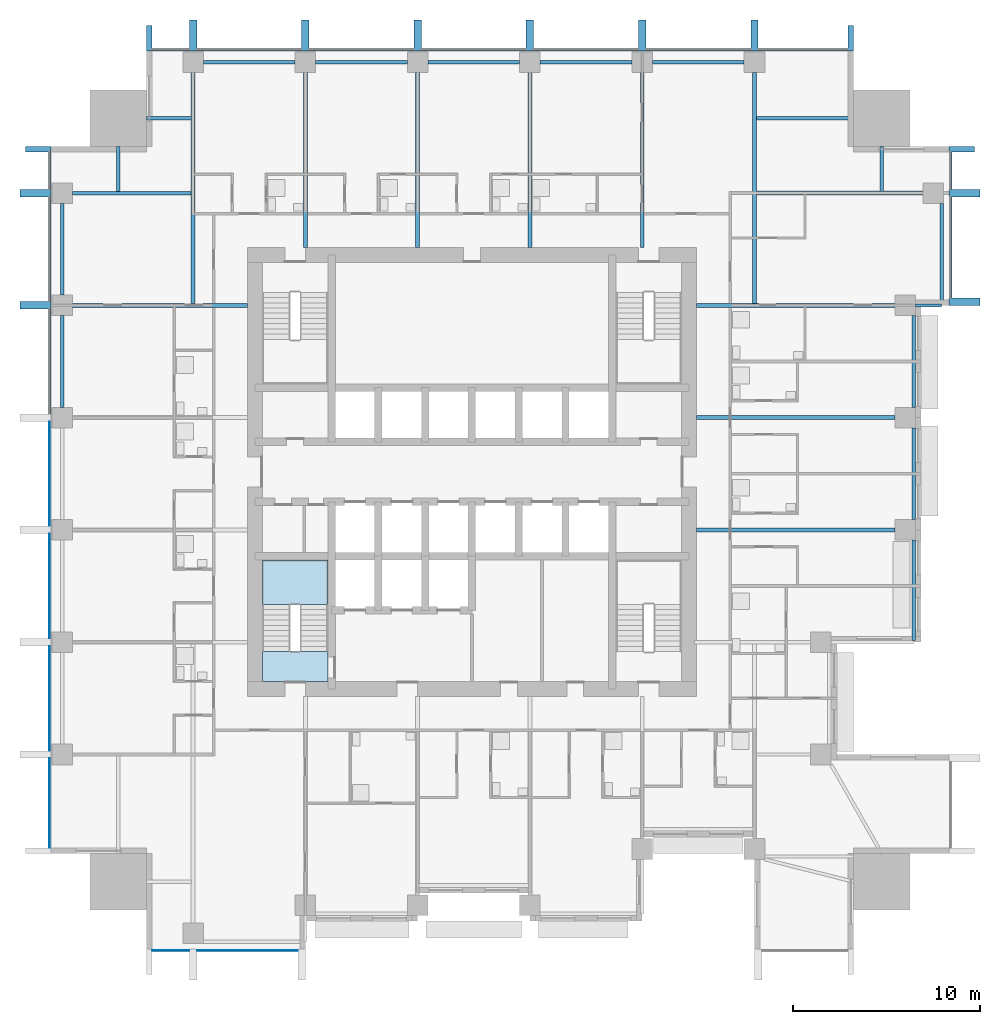
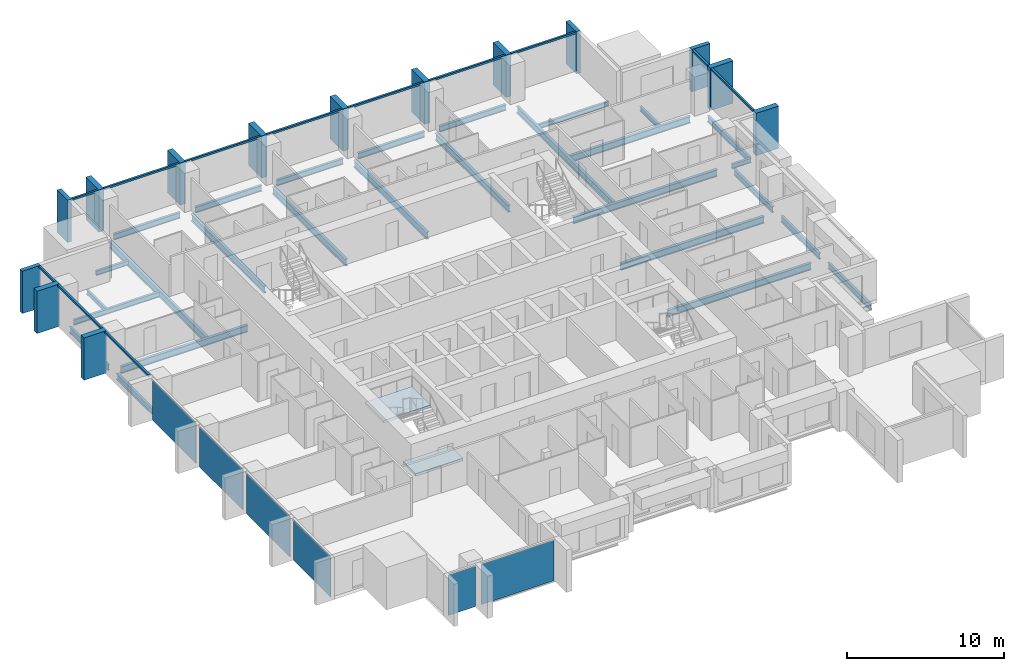
# One storey, part 2 of 11: 28 beams, 26 members, 6 plates, 2 slabs, 5 elements without a shape of their own.
"""IFC4 building model written with IfcOpenShell, lengths in metres."""

from ifc_helpers import new_model, si_unit, direction, frame, origin, origin_2d, place, context, subcontext, project, spatial, polyline, rectangle, i_section, outline, extrude, material, layer, layer_set, material_profile, profile_set, type_object, element, aggregate, save


model = new_model("IFC4")

# Units and contexts
model_context = context("Model", 3, precision=1e-05, world=origin(), true_north=direction((0.0, 1.0)))
body_context = subcontext(model_context, "Body", "Model", "MODEL_VIEW")
ifc_project = project(units=[si_unit("LENGTHUNIT", "METRE"), si_unit("AREAUNIT", "SQUARE_METRE"), si_unit("VOLUMEUNIT", "CUBIC_METRE"), si_unit("PLANEANGLEUNIT", "RADIAN"), si_unit("MASSUNIT", "GRAM", prefix="KILO")], contexts=[model_context])

# Site, building, storey
site_placement = place(None, origin())
site = spatial("IfcSite", under=ifc_project, at=site_placement, CompositionType="ELEMENT")
building_placement = place(site_placement, origin())
building = spatial("IfcBuilding", under=site, at=building_placement, Name="Amberfall Residences", CompositionType="ELEMENT")
storey_placement = place(building_placement, frame((0.0, 0.0, 95.199951171875)))
storey = spatial("IfcBuildingStorey", under=building, at=storey_placement, Name="L25", CompositionType="ELEMENT", Elevation=95.199951171875)

# Curtain wall, members
ifc_material_1 = material(Name="Bronze anodised aluminium and glass", Category="aluminium")
curtain_wall_type = type_object("IfcCurtainWallType", Name="Curtain wall CW1 tower unit", PredefinedType="USERDEFINED", material=ifc_material_1)
curtain_wall_1_placement = place(storey_placement, origin())
curtain_wall_1 = element("IfcCurtainWall", 1, at=curtain_wall_1_placement, inside=storey, type_object=curtain_wall_type, Name="Curtain wall L25 E E9", ObjectType="UNITISED CURTAIN WALL", PredefinedType="USERDEFINED")
ifc_material_2 = material(Name="Bronze anodised aluminium", Category="aluminium")
ifc_material_profile_1 = material_profile(ifc_material_2, rectangle(XDim=0.14990234375, YDim=0.14990234375, at=origin_2d()), Name="CW1 transom 150 x 150 bronze")
ifc_profile_set_1 = profile_set([ifc_material_profile_1], Name="Bronze anodised aluminium")
member_type_1 = type_object("IfcMemberType", Name="CW1 transom 150 x 150 bronze", PredefinedType="USERDEFINED", material=ifc_profile_set_1)
member_1_placement = place(storey_placement, frame((100.074951171875, 54.800048828125, 2.97509765625), z_axis=(0.0, 1.0, 0.0), x_axis=(-1.0, 0.0, 0.0)))
member_1 = element("IfcMember", 2, at=member_1_placement, type_object=member_type_1, Name="CW1 transom 1.1", ObjectType="TRANSOM", PredefinedType="USERDEFINED", context=body_context, shape_type="SweptSolid", body=[
    extrude(rectangle(XDim=0.14990234375, YDim=0.14990234375, at=origin_2d()), origin(), (0.0, 0.0, 1.0), 5.39990234375),
])
member_2_placement = place(storey_placement, frame((100.074951171875, 60.60009765625, 2.97509765625), z_axis=(0.0, 1.0, 0.0), x_axis=(-1.0, 0.0, 0.0)))
member_2 = element("IfcMember", 3, at=member_2_placement, type_object=member_type_1, Name="CW1 transom 2.1", ObjectType="TRANSOM", PredefinedType="USERDEFINED", context=body_context, shape_type="SweptSolid", body=[
    extrude(rectangle(XDim=0.14990234375, YDim=0.14990234375, at=origin_2d()), origin(), (0.0, 0.0, 1.0), 2.0),
])

curtain_wall_2_placement = place(storey_placement, origin())
curtain_wall_2 = element("IfcCurtainWall", 4, at=curtain_wall_2_placement, inside=storey, type_object=curtain_wall_type, Name="Curtain wall L25 N N1", ObjectType="UNITISED CURTAIN WALL", PredefinedType="USERDEFINED")
member_3_placement = place(storey_placement, frame((94.60009765625, 68.074951171875, 2.97509765625), z_axis=(-1.0, 0.0, 0.0), x_axis=(0.0, -1.0, 0.0)))
member_3 = element("IfcMember", 5, at=member_3_placement, type_object=member_type_1, Name="CW1 transom 1.1", ObjectType="TRANSOM", PredefinedType="USERDEFINED", context=body_context, shape_type="SweptSolid", body=[
    extrude(rectangle(XDim=0.14990234375, YDim=0.14990234375, at=origin_2d()), origin(), (0.0, 0.0, 1.0), 4.800048828125),
])
member_4_placement = place(storey_placement, frame((89.39990234375, 68.074951171875, 2.97509765625), z_axis=(-1.0, 0.0, 0.0), x_axis=(0.0, -1.0, 0.0)))
member_4 = element("IfcMember", 6, at=member_4_placement, type_object=member_type_1, Name="CW1 transom 2.1", ObjectType="TRANSOM", PredefinedType="USERDEFINED", context=body_context, shape_type="SweptSolid", body=[
    extrude(rectangle(XDim=0.14990234375, YDim=0.14990234375, at=origin_2d()), origin(), (0.0, 0.0, 1.0), 5.599853515625),
])
member_5_placement = place(storey_placement, frame((83.39990234375, 68.074951171875, 2.97509765625), z_axis=(-1.0, 0.0, 0.0), x_axis=(0.0, -1.0, 0.0)))
member_5 = element("IfcMember", 7, at=member_5_placement, type_object=member_type_1, Name="CW1 transom 3.1", ObjectType="TRANSOM", PredefinedType="USERDEFINED", context=body_context, shape_type="SweptSolid", body=[
    extrude(rectangle(XDim=0.14990234375, YDim=0.14990234375, at=origin_2d()), origin(), (0.0, 0.0, 1.0), 5.599853515625),
])
member_6_placement = place(storey_placement, frame((77.39990234375, 68.074951171875, 2.97509765625), z_axis=(-1.0, 0.0, 0.0), x_axis=(0.0, -1.0, 0.0)))
member_6 = element("IfcMember", 8, at=member_6_placement, type_object=member_type_1, Name="CW1 transom 4.1", ObjectType="TRANSOM", PredefinedType="USERDEFINED", context=body_context, shape_type="SweptSolid", body=[
    extrude(rectangle(XDim=0.14990234375, YDim=0.14990234375, at=origin_2d()), origin(), (0.0, 0.0, 1.0), 5.599853515625),
])
member_7_placement = place(storey_placement, frame((71.39990234375, 68.074951171875, 2.97509765625), z_axis=(-1.0, 0.0, 0.0), x_axis=(0.0, -1.0, 0.0)))
member_7 = element("IfcMember", 9, at=member_7_placement, type_object=member_type_1, Name="CW1 transom 5.1", ObjectType="TRANSOM", PredefinedType="USERDEFINED", context=body_context, shape_type="SweptSolid", body=[
    extrude(rectangle(XDim=0.14990234375, YDim=0.14990234375, at=origin_2d()), origin(), (0.0, 0.0, 1.0), 5.599853515625),
])
member_8_placement = place(storey_placement, frame((65.39990234375, 68.074951171875, 2.97509765625), z_axis=(-1.0, 0.0, 0.0), x_axis=(0.0, -1.0, 0.0)))
member_8 = element("IfcMember", 10, at=member_8_placement, type_object=member_type_1, Name="CW1 transom 6.1", ObjectType="TRANSOM", PredefinedType="USERDEFINED", context=body_context, shape_type="SweptSolid", body=[
    extrude(rectangle(XDim=0.14990234375, YDim=0.14990234375, at=origin_2d()), origin(), (0.0, 0.0, 1.0), 5.599853515625),
])
member_9_placement = place(storey_placement, frame((59.39990234375, 68.074951171875, 2.97509765625), z_axis=(-1.0, 0.0, 0.0), x_axis=(0.0, -1.0, 0.0)))
member_9 = element("IfcMember", 11, at=member_9_placement, type_object=member_type_1, Name="CW1 transom 7.1", ObjectType="TRANSOM", PredefinedType="USERDEFINED", context=body_context, shape_type="SweptSolid", body=[
    extrude(rectangle(XDim=0.14990234375, YDim=0.14990234375, at=origin_2d()), origin(), (0.0, 0.0, 1.0), 2.0),
])

curtain_wall_3_placement = place(storey_placement, origin())
curtain_wall_3 = element("IfcCurtainWall", 12, at=curtain_wall_3_placement, inside=storey, type_object=curtain_wall_type, Name="Curtain wall L25 W W1", ObjectType="UNITISED CURTAIN WALL", PredefinedType="USERDEFINED")
member_10_placement = place(storey_placement, frame((51.925048828125, 62.60009765625, 2.97509765625), z_axis=(0.0, -1.0, 0.0), x_axis=(1.0, 0.0, 0.0)))
member_10 = element("IfcMember", 13, at=member_10_placement, type_object=member_type_1, Name="CW1 transom 1.1", ObjectType="TRANSOM", PredefinedType="USERDEFINED", context=body_context, shape_type="SweptSolid", body=[
    extrude(rectangle(XDim=0.14990234375, YDim=0.14990234375, at=origin_2d()), origin(), (0.0, 0.0, 1.0), 2.0),
])
member_11_placement = place(storey_placement, frame((51.925048828125, 60.199951171875, 2.97509765625), z_axis=(0.0, -1.0, 0.0), x_axis=(1.0, 0.0, 0.0)))
member_11 = element("IfcMember", 14, at=member_11_placement, type_object=member_type_1, Name="CW1 transom 2.1", ObjectType="TRANSOM", PredefinedType="USERDEFINED", context=body_context, shape_type="SweptSolid", body=[
    extrude(rectangle(XDim=0.14990234375, YDim=0.14990234375, at=origin_2d()), origin(), (0.0, 0.0, 1.0), 5.599853515625),
])
member_12_placement = place(storey_placement, frame((51.925048828125, 54.199951171875, 2.97509765625), z_axis=(0.0, -1.0, 0.0), x_axis=(1.0, 0.0, 0.0)))
member_12 = element("IfcMember", 15, at=member_12_placement, type_object=member_type_1, Name="CW1 transom 3.1", ObjectType="TRANSOM", PredefinedType="USERDEFINED", context=body_context, shape_type="SweptSolid", body=[
    extrude(rectangle(XDim=0.14990234375, YDim=0.14990234375, at=origin_2d()), origin(), (0.0, 0.0, 1.0), 5.599853515625),
])

# Beam
ifc_material_3 = material(Name="Steel S355", Category="steel")
ifc_material_profile_2 = material_profile(ifc_material_3, i_section(OverallWidth=0.171142578125, OverallDepth=0.351318359375, WebThickness=0.007080078125, FlangeThickness=0.009765625, FilletRadius=0.01025390625, at=origin_2d()), Name="UB 356x171x45")
ifc_profile_set_2 = profile_set([ifc_material_profile_2], Name="Steel S355")
beam_type_1 = type_object("IfcBeamType", Name="Cantilever girder UB 356x171x45", PredefinedType="BEAM", material=ifc_profile_set_2)
beam_1_placement = place(storey_placement, frame((98.199951171875, 54.39990234375, -0.425537109375), z_axis=(1.0, 0.0, 0.0), x_axis=(0.0, 1.0, 0.0)))
element("IfcBeam", 16, at=beam_1_placement, inside=storey, type_object=beam_type_1, Name="Cantilever girder B8 L25 20", PredefinedType="BEAM", context=body_context, shape_type="SweptSolid", body=[
    extrude(i_section(OverallWidth=0.171142578125, OverallDepth=0.351318359375, WebThickness=0.007080078125, FlangeThickness=0.009765625, FilletRadius=0.01025390625, at=origin_2d()), origin(), (0.0, 0.0, 1.0), 1.400146484375),
])

# Member
ifc_material_profile_3 = material_profile(ifc_material_2, rectangle(XDim=1.35009765625, YDim=0.300048828125, at=origin_2d()), Name="Corner fin 300 x 1350 bronze")
ifc_profile_set_3 = profile_set([ifc_material_profile_3], Name="Bronze anodised aluminium")
member_type_2 = type_object("IfcMemberType", Name="Corner fin 300 x 1350 bronze", PredefinedType="MULLION", material=ifc_profile_set_3)
member_13_placement = place(storey_placement, frame((100.675048828125, 62.75, -0.25), z_axis=(0.0, 0.0, 1.0), x_axis=(-1.0, 0.0, 0.0)))
member_13 = element("IfcMember", 17, at=member_13_placement, type_object=member_type_2, Name="CW FIN 3", PredefinedType="MULLION", context=body_context, shape_type="SweptSolid", body=[
    extrude(rectangle(XDim=1.35009765625, YDim=0.300048828125, at=origin_2d()), origin(), (0.0, 0.0, 1.0), 3.300048828125),
])

member_14_placement = place(storey_placement, frame((94.75, 68.675048828125, -0.25), z_axis=(0.0, 0.0, 1.0), x_axis=(0.0, -1.0, 0.0)))
member_14 = element("IfcMember", 18, at=member_14_placement, type_object=member_type_2, Name="CW FIN 1", PredefinedType="MULLION", context=body_context, shape_type="SweptSolid", body=[
    extrude(rectangle(XDim=1.35009765625, YDim=0.300048828125, at=origin_2d()), origin(), (0.0, 0.0, 1.0), 3.300048828125),
])

member_15_placement = place(storey_placement, frame((57.25, 68.675048828125, -0.25), z_axis=(0.0, 0.0, 1.0), x_axis=(0.0, -1.0, 0.0)))
member_15 = element("IfcMember", 19, at=member_15_placement, type_object=member_type_2, Name="CW FIN 8", PredefinedType="MULLION", context=body_context, shape_type="SweptSolid", body=[
    extrude(rectangle(XDim=1.35009765625, YDim=0.300048828125, at=origin_2d()), origin(), (0.0, 0.0, 1.0), 3.300048828125),
])

member_16_placement = place(storey_placement, frame((51.324951171875, 62.75, -0.25), z_axis=(0.0, 0.0, 1.0), x_axis=(1.0, 0.0, 0.0)))
member_16 = element("IfcMember", 20, at=member_16_placement, type_object=member_type_2, Name="CW FIN 1", PredefinedType="MULLION", context=body_context, shape_type="SweptSolid", body=[
    extrude(rectangle(XDim=1.35009765625, YDim=0.300048828125, at=origin_2d()), origin(), (0.0, 0.0, 1.0), 3.300048828125),
])

# Beams
ifc_material_profile_4 = material_profile(ifc_material_3, i_section(OverallWidth=0.18994140625, OverallDepth=0.453369140625, WebThickness=0.008544921875, FlangeThickness=0.0126953125, FilletRadius=0.01025390625, at=origin_2d()), Name="UB 457x191x67")
ifc_profile_set_4 = profile_set([ifc_material_profile_4], Name="Steel S355")
beam_type_2 = type_object("IfcBeamType", Name="Edge beam UB 457x191x67", PredefinedType="SPANDREL", material=ifc_profile_set_4)
beam_2_placement = place(storey_placement, frame((98.10009765625, 36.47998046875, -0.4765625), z_axis=(0.0, 1.0, 0.0), x_axis=(-1.0, 0.0, 0.0)))
element("IfcBeam", 21, at=beam_2_placement, inside=storey, type_object=beam_type_2, Name="Edge beam B1 L25 15", PredefinedType="SPANDREL", context=body_context, shape_type="SweptSolid", body=[
    extrude(i_section(OverallWidth=0.18994140625, OverallDepth=0.453369140625, WebThickness=0.008544921875, FlangeThickness=0.0126953125, FilletRadius=0.01025390625, at=origin_2d()), origin(), (0.0, 0.0, 1.0), 5.3701171875),
])
for number, where, z_axis, x_axis, name in (
    (22, (98.10009765625, 42.949951171875, -0.4765625), (0.0, 1.0, 0.0), (-1.0, 0.0, 0.0), "Edge beam B1 L25 16"),
    (23, (98.10009765625, 48.949951171875, -0.4765625), (0.0, 1.0, 0.0), (-1.0, 0.0, 0.0), "Edge beam B1 L25 17"),
):
    element("IfcBeam", number, at=place(storey_placement, frame(where, z_axis=z_axis, x_axis=x_axis)), inside=storey, type_object=beam_type_2, Name=name, PredefinedType="SPANDREL", context=body_context, shape_type="SweptSolid", body=[
        extrude(i_section(OverallWidth=0.18994140625, OverallDepth=0.453369140625, WebThickness=0.008544921875, FlangeThickness=0.0126953125, FilletRadius=0.01025390625, at=origin_2d()), origin(), (0.0, 0.0, 1.0), 4.900146484375),
    ])
beam_3_placement = place(storey_placement, frame((99.60009765625, 54.47998046875, -0.4765625), z_axis=(0.0, 1.0, 0.0), x_axis=(-1.0, 0.0, 0.0)))
element("IfcBeam", 24, at=beam_3_placement, inside=storey, type_object=beam_type_2, Name="Edge beam B1 L25 18", PredefinedType="SPANDREL", context=body_context, shape_type="SweptSolid", body=[
    extrude(i_section(OverallWidth=0.18994140625, OverallDepth=0.453369140625, WebThickness=0.008544921875, FlangeThickness=0.0126953125, FilletRadius=0.01025390625, at=origin_2d()), origin(), (0.0, 0.0, 1.0), 5.3701171875),
])
for number, where, z_axis, x_axis, name in (
    (25, (60.14990234375, 67.39990234375, -0.4765625), (1.0, 0.0, 0.0), (0.0, 1.0, 0.0), "Edge beam B1 L25 27"),
    (26, (66.14990234375, 67.39990234375, -0.4765625), (1.0, 0.0, 0.0), (0.0, 1.0, 0.0), "Edge beam B1 L25 28"),
    (27, (72.14990234375, 67.39990234375, -0.4765625), (1.0, 0.0, 0.0), (0.0, 1.0, 0.0), "Edge beam B1 L25 29"),
    (28, (78.14990234375, 67.39990234375, -0.4765625), (1.0, 0.0, 0.0), (0.0, 1.0, 0.0), "Edge beam B1 L25 30"),
    (29, (84.14990234375, 67.39990234375, -0.4765625), (1.0, 0.0, 0.0), (0.0, 1.0, 0.0), "Edge beam B1 L25 31"),
    (30, (52.60009765625, 48.949951171875, -0.4765625), (0.0, 1.0, 0.0), (-1.0, 0.0, 0.0), "Edge beam B1 L25 41"),
    (31, (52.60009765625, 54.949951171875, -0.4765625), (0.0, 1.0, 0.0), (-1.0, 0.0, 0.0), "Edge beam B1 L25 42"),
):
    element("IfcBeam", number, at=place(storey_placement, frame(where, z_axis=z_axis, x_axis=x_axis)), inside=storey, type_object=beam_type_2, Name=name, PredefinedType="SPANDREL", context=body_context, shape_type="SweptSolid", body=[
        extrude(i_section(OverallWidth=0.18994140625, OverallDepth=0.453369140625, WebThickness=0.008544921875, FlangeThickness=0.0126953125, FilletRadius=0.01025390625, at=origin_2d()), origin(), (0.0, 0.0, 1.0), 4.900146484375),
    ])

# Member
ifc_material_profile_5 = material_profile(ifc_material_2, rectangle(XDim=1.64990234375, YDim=0.39990234375, at=origin_2d()), Name="Fin 400 x 1650 bronze")
ifc_profile_set_5 = profile_set([ifc_material_profile_5], Name="Bronze anodised aluminium")
member_type_3 = type_object("IfcMemberType", Name="Fin 400 x 1650 bronze", PredefinedType="MULLION", material=ifc_profile_set_5)
member_17_placement = place(storey_placement, frame((100.824951171875, 54.60009765625, -0.25), z_axis=(0.0, 0.0, 1.0), x_axis=(-1.0, 0.0, 0.0)))
member_17 = element("IfcMember", 32, at=member_17_placement, type_object=member_type_3, Name="CW FIN 1", PredefinedType="MULLION", context=body_context, shape_type="SweptSolid", body=[
    extrude(rectangle(XDim=1.64990234375, YDim=0.39990234375, at=origin_2d()), origin(), (0.0, 0.0, 1.0), 3.300048828125),
])

member_18_placement = place(storey_placement, frame((100.824951171875, 60.39990234375, -0.25), z_axis=(0.0, 0.0, 1.0), x_axis=(-1.0, 0.0, 0.0)))
member_18 = element("IfcMember", 33, at=member_18_placement, type_object=member_type_3, Name="CW FIN 2", PredefinedType="MULLION", context=body_context, shape_type="SweptSolid", body=[
    extrude(rectangle(XDim=1.64990234375, YDim=0.39990234375, at=origin_2d()), origin(), (0.0, 0.0, 1.0), 3.300048828125),
])

aggregate(curtain_wall_1, [member_17, member_18, member_13, member_1, member_2])

member_19_placement = place(storey_placement, frame((89.60009765625, 68.824951171875, -0.25), z_axis=(0.0, 0.0, 1.0), x_axis=(0.0, -1.0, 0.0)))
member_19 = element("IfcMember", 34, at=member_19_placement, type_object=member_type_3, Name="CW FIN 2", PredefinedType="MULLION", context=body_context, shape_type="SweptSolid", body=[
    extrude(rectangle(XDim=1.64990234375, YDim=0.39990234375, at=origin_2d()), origin(), (0.0, 0.0, 1.0), 3.300048828125),
])

member_20_placement = place(storey_placement, frame((83.60009765625, 68.824951171875, -0.25), z_axis=(0.0, 0.0, 1.0), x_axis=(0.0, -1.0, 0.0)))
member_20 = element("IfcMember", 35, at=member_20_placement, type_object=member_type_3, Name="CW FIN 3", PredefinedType="MULLION", context=body_context, shape_type="SweptSolid", body=[
    extrude(rectangle(XDim=1.64990234375, YDim=0.39990234375, at=origin_2d()), origin(), (0.0, 0.0, 1.0), 3.300048828125),
])

member_21_placement = place(storey_placement, frame((77.60009765625, 68.824951171875, -0.25), z_axis=(0.0, 0.0, 1.0), x_axis=(0.0, -1.0, 0.0)))
member_21 = element("IfcMember", 36, at=member_21_placement, type_object=member_type_3, Name="CW FIN 4", PredefinedType="MULLION", context=body_context, shape_type="SweptSolid", body=[
    extrude(rectangle(XDim=1.64990234375, YDim=0.39990234375, at=origin_2d()), origin(), (0.0, 0.0, 1.0), 3.300048828125),
])

member_22_placement = place(storey_placement, frame((71.60009765625, 68.824951171875, -0.25), z_axis=(0.0, 0.0, 1.0), x_axis=(0.0, -1.0, 0.0)))
member_22 = element("IfcMember", 37, at=member_22_placement, type_object=member_type_3, Name="CW FIN 5", PredefinedType="MULLION", context=body_context, shape_type="SweptSolid", body=[
    extrude(rectangle(XDim=1.64990234375, YDim=0.39990234375, at=origin_2d()), origin(), (0.0, 0.0, 1.0), 3.300048828125),
])

member_23_placement = place(storey_placement, frame((65.60009765625, 68.824951171875, -0.25), z_axis=(0.0, 0.0, 1.0), x_axis=(0.0, -1.0, 0.0)))
member_23 = element("IfcMember", 38, at=member_23_placement, type_object=member_type_3, Name="CW FIN 6", PredefinedType="MULLION", context=body_context, shape_type="SweptSolid", body=[
    extrude(rectangle(XDim=1.64990234375, YDim=0.39990234375, at=origin_2d()), origin(), (0.0, 0.0, 1.0), 3.300048828125),
])

member_24_placement = place(storey_placement, frame((59.60009765625, 68.824951171875, -0.25), z_axis=(0.0, 0.0, 1.0), x_axis=(0.0, -1.0, 0.0)))
member_24 = element("IfcMember", 39, at=member_24_placement, type_object=member_type_3, Name="CW FIN 7", PredefinedType="MULLION", context=body_context, shape_type="SweptSolid", body=[
    extrude(rectangle(XDim=1.64990234375, YDim=0.39990234375, at=origin_2d()), origin(), (0.0, 0.0, 1.0), 3.300048828125),
])

aggregate(curtain_wall_2, [member_14, member_19, member_20, member_21, member_22, member_23, member_24, member_15, member_3, member_4, member_5, member_6, member_7, member_8, member_9])

member_25_placement = place(storey_placement, frame((51.175048828125, 60.39990234375, -0.25), z_axis=(0.0, 0.0, 1.0), x_axis=(1.0, 0.0, 0.0)))
member_25 = element("IfcMember", 40, at=member_25_placement, type_object=member_type_3, Name="CW FIN 2", PredefinedType="MULLION", context=body_context, shape_type="SweptSolid", body=[
    extrude(rectangle(XDim=1.64990234375, YDim=0.39990234375, at=origin_2d()), origin(), (0.0, 0.0, 1.0), 3.300048828125),
])

member_26_placement = place(storey_placement, frame((51.175048828125, 54.39990234375, -0.25), z_axis=(0.0, 0.0, 1.0), x_axis=(1.0, 0.0, 0.0)))
member_26 = element("IfcMember", 41, at=member_26_placement, type_object=member_type_3, Name="CW FIN 3", PredefinedType="MULLION", context=body_context, shape_type="SweptSolid", body=[
    extrude(rectangle(XDim=1.64990234375, YDim=0.39990234375, at=origin_2d()), origin(), (0.0, 0.0, 1.0), 3.300048828125),
])

# Beams
ifc_material_profile_6 = material_profile(ifc_material_3, i_section(OverallWidth=0.177734375, OverallDepth=0.402587890625, WebThickness=0.0078125, FlangeThickness=0.010986328125, FilletRadius=0.01025390625, at=origin_2d()), Name="UB 406x178x54")
ifc_profile_set_6 = profile_set([ifc_material_profile_6], Name="Steel S355")
beam_type_3 = type_object("IfcBeamType", Name="Floor girder UB 406x178x54", PredefinedType="BEAM", material=ifc_profile_set_6)
beam_4_placement = place(storey_placement, frame((53.14990234375, 60.39990234375, -0.451171875), z_axis=(1.0, 0.0, 0.0), x_axis=(0.0, 1.0, 0.0)))
element("IfcBeam", 42, at=beam_4_placement, inside=storey, type_object=beam_type_3, Name="Floor girder B4 L25 48", PredefinedType="BEAM", context=body_context, shape_type="SweptSolid", body=[
    extrude(i_section(OverallWidth=0.177734375, OverallDepth=0.402587890625, WebThickness=0.0078125, FlangeThickness=0.010986328125, FilletRadius=0.01025390625, at=origin_2d()), origin(), (0.0, 0.0, 1.0), 6.330078125),
])
ifc_material_profile_7 = material_profile(ifc_material_3, i_section(OverallWidth=0.210693359375, OverallDepth=0.53955078125, WebThickness=0.01171875, FlangeThickness=0.018798828125, FilletRadius=0.0126953125, at=origin_2d()), Name="UB 533x210x109")
ifc_profile_set_7 = profile_set([ifc_material_profile_7], Name="Steel S355")
beam_type_4 = type_object("IfcBeamType", Name="Floor girder UB 533x210x109", PredefinedType="BEAM", material=ifc_profile_set_7)
for number, where, z_axis, x_axis, name in (
    (43, (59.60009765625, 66.85009765625, -0.519775390625), (0.0, -1.0, 0.0), (1.0, 0.0, 0.0), "Floor girder B2 L25 32"),
    (44, (89.60009765625, 66.85009765625, -0.519775390625), (0.0, -1.0, 0.0), (1.0, 0.0, 0.0), "Floor girder B2 L25 37"),
):
    element("IfcBeam", number, at=place(storey_placement, frame(where, z_axis=z_axis, x_axis=x_axis)), inside=storey, type_object=beam_type_4, Name=name, PredefinedType="BEAM", context=body_context, shape_type="SweptSolid", body=[
        extrude(i_section(OverallWidth=0.210693359375, OverallDepth=0.53955078125, WebThickness=0.01171875, FlangeThickness=0.018798828125, FilletRadius=0.0126953125, at=origin_2d()), origin(), (0.0, 0.0, 1.0), 12.3505859375),
    ])
ifc_material_profile_8 = material_profile(ifc_material_3, i_section(OverallWidth=0.209228515625, OverallDepth=0.533203125, WebThickness=0.010009765625, FlangeThickness=0.015625, FilletRadius=0.0126953125, at=origin_2d()), Name="UB 533x210x92")
ifc_profile_set_8 = profile_set([ifc_material_profile_8], Name="Steel S355")
beam_type_5 = type_object("IfcBeamType", Name="Floor girder UB 533x210x92", PredefinedType="BEAM", material=ifc_profile_set_8)
for number, where, z_axis, x_axis, name in (
    (45, (97.10009765625, 42.39990234375, -0.5166015625), (-1.0, 0.0, 0.0), (0.0, -1.0, 0.0), "Floor girder B3 L25 23"),
    (46, (97.10009765625, 48.39990234375, -0.5166015625), (-1.0, 0.0, 0.0), (0.0, -1.0, 0.0), "Floor girder B3 L25 24"),
    (47, (97.10009765625, 54.39990234375, -0.5166015625), (-1.0, 0.0, 0.0), (0.0, -1.0, 0.0), "Floor girder B3 L25 25"),
):
    element("IfcBeam", number, at=place(storey_placement, frame(where, z_axis=z_axis, x_axis=x_axis)), inside=storey, type_object=beam_type_5, Name=name, PredefinedType="BEAM", context=body_context, shape_type="SweptSolid", body=[
        extrude(i_section(OverallWidth=0.209228515625, OverallDepth=0.533203125, WebThickness=0.010009765625, FlangeThickness=0.015625, FilletRadius=0.0126953125, at=origin_2d()), origin(), (0.0, 0.0, 1.0), 10.60009765625),
    ])
beam_5_placement = place(storey_placement, frame((98.60009765625, 60.39990234375, -0.5166015625), z_axis=(-1.0, 0.0, 0.0), x_axis=(0.0, -1.0, 0.0)))
element("IfcBeam", 48, at=beam_5_placement, inside=storey, type_object=beam_type_5, Name="Floor girder B3 L25 26", PredefinedType="BEAM", context=body_context, shape_type="SweptSolid", body=[
    extrude(i_section(OverallWidth=0.209228515625, OverallDepth=0.533203125, WebThickness=0.010009765625, FlangeThickness=0.015625, FilletRadius=0.0126953125, at=origin_2d()), origin(), (0.0, 0.0, 1.0), 8.880126953125),
])
for number, where, z_axis, x_axis, name in (
    (49, (65.60009765625, 66.85009765625, -0.5166015625), (0.0, -1.0, 0.0), (1.0, 0.0, 0.0), "Floor girder B3 L25 33"),
    (50, (71.60009765625, 66.85009765625, -0.5166015625), (0.0, -1.0, 0.0), (1.0, 0.0, 0.0), "Floor girder B3 L25 34"),
    (51, (77.60009765625, 66.85009765625, -0.5166015625), (0.0, -1.0, 0.0), (1.0, 0.0, 0.0), "Floor girder B3 L25 35"),
    (52, (83.60009765625, 66.85009765625, -0.5166015625), (0.0, -1.0, 0.0), (1.0, 0.0, 0.0), "Floor girder B3 L25 36"),
    (53, (53.14990234375, 54.39990234375, -0.5166015625), (1.0, 0.0, 0.0), (0.0, 1.0, 0.0), "Floor girder B3 L25 47"),
):
    element("IfcBeam", number, at=place(storey_placement, frame(where, z_axis=z_axis, x_axis=x_axis)), inside=storey, type_object=beam_type_5, Name=name, PredefinedType="BEAM", context=body_context, shape_type="SweptSolid", body=[
        extrude(i_section(OverallWidth=0.209228515625, OverallDepth=0.533203125, WebThickness=0.010009765625, FlangeThickness=0.015625, FilletRadius=0.0126953125, at=origin_2d()), origin(), (0.0, 0.0, 1.0), 9.35009765625),
    ])
ifc_material_profile_9 = material_profile(ifc_material_3, i_section(OverallWidth=0.171142578125, OverallDepth=0.351318359375, WebThickness=0.007080078125, FlangeThickness=0.009765625, FilletRadius=0.01025390625, at=origin_2d()), Name="UB 356x171x45")
ifc_profile_set_9 = profile_set([ifc_material_profile_9], Name="Steel S355")
beam_type_6 = type_object("IfcBeamType", Name="Link beam UB 356x171x45", PredefinedType="BEAM", material=ifc_profile_set_9)
beam_6_placement = place(storey_placement, frame((94.89990234375, 64.39990234375, -0.425537109375), z_axis=(-1.0, 0.0, 0.0), x_axis=(0.0, -1.0, 0.0)))
element("IfcBeam", 54, at=beam_6_placement, inside=storey, type_object=beam_type_6, Name="Link beam B7 L25 54", PredefinedType="BEAM", context=body_context, shape_type="SweptSolid", body=[
    extrude(i_section(OverallWidth=0.171142578125, OverallDepth=0.351318359375, WebThickness=0.007080078125, FlangeThickness=0.009765625, FilletRadius=0.01025390625, at=origin_2d()), origin(), (0.0, 0.0, 1.0), 5.20458984375),
])
beam_7_placement = place(storey_placement, frame((96.39990234375, 62.89990234375, -0.425537109375), z_axis=(0.0, -1.0, 0.0), x_axis=(1.0, 0.0, 0.0)))
element("IfcBeam", 55, at=beam_7_placement, inside=storey, type_object=beam_type_6, Name="Link beam B7 L25 55", PredefinedType="BEAM", context=body_context, shape_type="SweptSolid", body=[
    extrude(i_section(OverallWidth=0.171142578125, OverallDepth=0.351318359375, WebThickness=0.007080078125, FlangeThickness=0.009765625, FilletRadius=0.01025390625, at=origin_2d()), origin(), (0.0, 0.0, 1.0), 2.4052734375),
])
beam_8_placement = place(storey_placement, frame((57.10009765625, 64.39990234375, -0.425537109375), z_axis=(1.0, 0.0, 0.0), x_axis=(0.0, 1.0, 0.0)))
element("IfcBeam", 56, at=beam_8_placement, inside=storey, type_object=beam_type_6, Name="Link beam B7 L25 56", PredefinedType="BEAM", context=body_context, shape_type="SweptSolid", body=[
    extrude(i_section(OverallWidth=0.171142578125, OverallDepth=0.351318359375, WebThickness=0.007080078125, FlangeThickness=0.009765625, FilletRadius=0.01025390625, at=origin_2d()), origin(), (0.0, 0.0, 1.0), 2.404541015625),
])
beam_9_placement = place(storey_placement, frame((55.60009765625, 62.89990234375, -0.425537109375), z_axis=(0.0, -1.0, 0.0), x_axis=(1.0, 0.0, 0.0)))
element("IfcBeam", 57, at=beam_9_placement, inside=storey, type_object=beam_type_6, Name="Link beam B7 L25 57", PredefinedType="BEAM", context=body_context, shape_type="SweptSolid", body=[
    extrude(i_section(OverallWidth=0.171142578125, OverallDepth=0.351318359375, WebThickness=0.007080078125, FlangeThickness=0.009765625, FilletRadius=0.01025390625, at=origin_2d()), origin(), (0.0, 0.0, 1.0), 2.4208984375),
])

# Curtain wall, plates
curtain_wall_4_placement = place(storey_placement, origin())
curtain_wall_4 = element("IfcCurtainWall", 58, at=curtain_wall_4_placement, inside=storey, type_object=curtain_wall_type, Name="Curtain wall L25 S S1", ObjectType="UNITISED CURTAIN WALL", PredefinedType="USERDEFINED")
ifc_material_4 = material(Name="Tinted double glazed unit", Category="glass")
ifc_layer_1 = layer(ifc_material_4, 0.035888671875)
ifc_layer_set_1 = layer_set([ifc_layer_1], Name="CW1 panel 36 glazing")
plate_type = type_object("IfcPlateType", Name="CW1 panel 36 glazing", PredefinedType="CURTAIN_PANEL", material=ifc_layer_set_1)
plate_1_placement = place(storey_placement, frame((58.39990234375, 19.925048828125, -0.25), z_axis=(0.0, 0.0, 1.0), x_axis=(1.0, 0.0, 0.0)))
plate_1 = element("IfcPlate", 59, at=plate_1_placement, type_object=plate_type, Name="CW1 panel 1.1", PredefinedType="CURTAIN_PANEL", context=body_context, shape_type="SweptSolid", body=[
    extrude(rectangle(XDim=1.97607421875, YDim=0.035888671875, at=origin_2d()), origin(), (0.0, 0.0, 1.0), 3.14990234375),
])
plate_2_placement = place(storey_placement, frame((62.5, 19.925048828125, -0.25), z_axis=(0.0, 0.0, 1.0), x_axis=(1.0, 0.0, 0.0)))
plate_2 = element("IfcPlate", 60, at=plate_2_placement, type_object=plate_type, Name="CW1 panel 2.1", PredefinedType="CURTAIN_PANEL", context=body_context, shape_type="SweptSolid", body=[
    extrude(rectangle(XDim=5.3759765625, YDim=0.035888671875, at=origin_2d()), origin(), (0.0, 0.0, 1.0), 3.14990234375),
])
aggregate(curtain_wall_4, [plate_1, plate_2])

# Plate
plate_3_placement = place(storey_placement, frame((51.925048828125, 45.39990234375, -0.25), z_axis=(0.0, 0.0, 1.0), x_axis=(0.0, -1.0, 0.0)))
plate_3 = element("IfcPlate", 61, at=plate_3_placement, type_object=plate_type, Name="CW1 panel 4.1", PredefinedType="CURTAIN_PANEL", context=body_context, shape_type="SweptSolid", body=[
    extrude(rectangle(XDim=5.575927734375, YDim=0.035888671875, at=origin_2d()), origin(), (0.0, 0.0, 1.0), 3.14990234375),
])

plate_4_placement = place(storey_placement, frame((51.925048828125, 39.39990234375, -0.25), z_axis=(0.0, 0.0, 1.0), x_axis=(0.0, -1.0, 0.0)))
plate_4 = element("IfcPlate", 62, at=plate_4_placement, type_object=plate_type, Name="CW1 panel 5.1", PredefinedType="CURTAIN_PANEL", context=body_context, shape_type="SweptSolid", body=[
    extrude(rectangle(XDim=5.575927734375, YDim=0.035888671875, at=origin_2d()), origin(), (0.0, 0.0, 1.0), 3.14990234375),
])

plate_5_placement = place(storey_placement, frame((51.925048828125, 33.39990234375, -0.25), z_axis=(0.0, 0.0, 1.0), x_axis=(0.0, -1.0, 0.0)))
plate_5 = element("IfcPlate", 63, at=plate_5_placement, type_object=plate_type, Name="CW1 panel 6.1", PredefinedType="CURTAIN_PANEL", context=body_context, shape_type="SweptSolid", body=[
    extrude(rectangle(XDim=5.575927734375, YDim=0.035888671875, at=origin_2d()), origin(), (0.0, 0.0, 1.0), 3.14990234375),
])

plate_6_placement = place(storey_placement, frame((51.925048828125, 27.800048828125, -0.25), z_axis=(0.0, 0.0, 1.0), x_axis=(0.0, -1.0, 0.0)))
plate_6 = element("IfcPlate", 64, at=plate_6_placement, type_object=plate_type, Name="CW1 panel 7.1", PredefinedType="CURTAIN_PANEL", context=body_context, shape_type="SweptSolid", body=[
    extrude(rectangle(XDim=4.77587890625, YDim=0.035888671875, at=origin_2d()), origin(), (0.0, 0.0, 1.0), 3.14990234375),
])

aggregate(curtain_wall_3, [member_16, member_25, member_26, member_10, member_11, member_12, plate_3, plate_4, plate_5, plate_6])

# Stair, slabs
ifc_material_5 = material(Name="Concrete C40", Category="concrete")
stair_type = type_object("IfcStairType", Name="Exit stair 20 risers 165.0 mm", PredefinedType="HALF_TURN_STAIR", material=ifc_material_5)
stair_placement = place(storey_placement, origin())
stair = element("IfcStair", 65, at=stair_placement, inside=storey, type_object=stair_type, Name="L25 Exit stair 1", PredefinedType="HALF_TURN_STAIR")
ifc_layer_2 = layer(ifc_material_5, 0.199951171875)
ifc_layer_set_2 = layer_set([ifc_layer_2], Name="Stair landing 200")
slab_type = type_object("IfcSlabType", Name="Stair landing 200", PredefinedType="LANDING", material=ifc_layer_set_2)
slab_1_placement = place(storey_placement, frame((0.0, 0.0, 1.449951171875)))
slab_1 = element("IfcSlab", 66, at=slab_1_placement, type_object=slab_type, Name="ST3 landing 1", PredefinedType="LANDING", context=body_context, shape_type="SweptSolid", body=[
    extrude(outline(polyline([(66.800048828125, 38.419921875), (66.800048828125, 40.800048828125), (63.300048828125, 40.800048828125), (63.300048828125, 38.419921875), (66.800048828125, 38.419921875)])), origin(), (0.0, 0.0, 1.0), 0.2001953125),
])
slab_2_placement = place(storey_placement, frame((0.0, 0.0, -0.199951171875)))
slab_2 = element("IfcSlab", 67, at=slab_2_placement, type_object=slab_type, Name="ST3 landing 2", PredefinedType="LANDING", context=body_context, shape_type="SweptSolid", body=[
    extrude(outline(polyline([(66.800048828125, 34.300048828125), (66.800048828125, 35.89990234375), (63.300048828125, 35.89990234375), (63.300048828125, 34.300048828125), (66.800048828125, 34.300048828125)])), origin(), (0.0, 0.0, 1.0), 0.199951171875),
])
aggregate(stair, [slab_1, slab_2])

save(model, "model.ifc")
